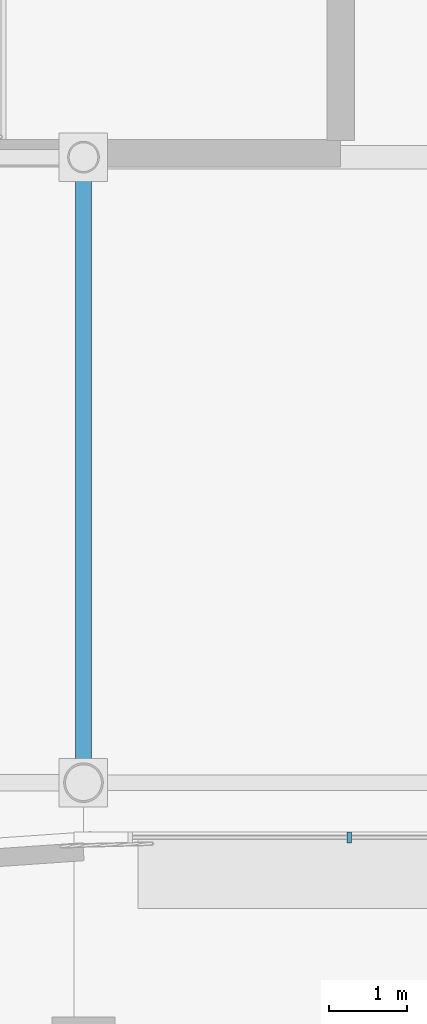
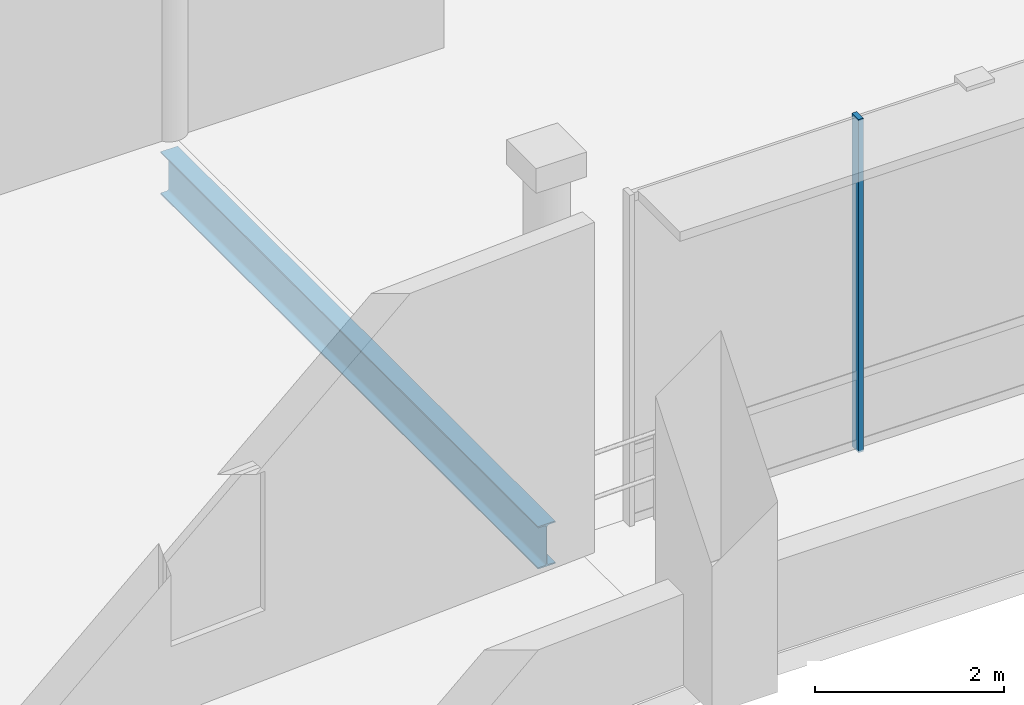
# One storey, part 14 of 59: 1 beam, 1 member, 1 element without a shape of its own.
"""IFC4 building model written with IfcOpenShell, lengths in metres."""

from ifc_helpers import new_model, si_unit, direction, frame, origin, origin_2d, place, context, subcontext, project, spatial, rectangle, i_section, extrude, material, material_profile, profile_set, type_object, element, aggregate, save


model = new_model("IFC4")

# Units and contexts
model_context = context("Model", 3, precision=1e-05, world=origin(), true_north=direction((0.0, 1.0)))
body_context = subcontext(model_context, "Body", "Model", "MODEL_VIEW")
ifc_project = project(units=[si_unit("LENGTHUNIT", "METRE"), si_unit("AREAUNIT", "SQUARE_METRE"), si_unit("VOLUMEUNIT", "CUBIC_METRE"), si_unit("PLANEANGLEUNIT", "RADIAN"), si_unit("MASSUNIT", "GRAM", prefix="KILO")], contexts=[model_context])

# Site, building, storey
site_placement = place(None, origin())
site = spatial("IfcSite", under=ifc_project, at=site_placement, CompositionType="ELEMENT")
building_placement = place(site_placement, origin())
building = spatial("IfcBuilding", under=site, at=building_placement, Name="Danafjord Basin Convention Centre", CompositionType="ELEMENT")
storey_placement = place(building_placement, frame((0.0, 0.0, 15.89990234375)))
storey = spatial("IfcBuildingStorey", under=building, at=storey_placement, Name="L03", CompositionType="ELEMENT", Elevation=15.89990234375)

# Beam
ifc_material_1 = material(Name="Steel S355", Category="steel")
ifc_material_profile_1 = material_profile(ifc_material_1, i_section(OverallWidth=0.2099609375, OverallDepth=0.550048828125, WebThickness=0.010986328125, FlangeThickness=0.01708984375, FilletRadius=0.02392578125, at=origin_2d()), Name="IPE 550")
ifc_profile_set_1 = profile_set([ifc_material_profile_1], Name="Steel S355")
beam_type = type_object("IfcBeamType", Name="BEAM-BM-IPE550", PredefinedType="BEAM", material=ifc_profile_set_1)
beam_placement = place(storey_placement, frame((57.60009765625, 8.0, -0.5048828125), z_axis=(0.0, 1.0, 0.0), x_axis=(-1.0, 0.0, 0.0)))
element("IfcBeam", 1, at=beam_placement, inside=storey, type_object=beam_type, Name="L03 transverse girder BM-IPE550", PredefinedType="BEAM", context=body_context, shape_type="SweptSolid", body=[
    extrude(i_section(OverallWidth=0.2099609375, OverallDepth=0.550048828125, WebThickness=0.010986328125, FlangeThickness=0.01708984375, FilletRadius=0.02392578125, at=origin_2d()), origin(), (0.0, 0.0, 1.0), 8.0),
])

# Curtain wall, member
ifc_material_2 = material(Name="Anodised aluminium and triple glazing", Category="aluminium")
curtain_wall_type = type_object("IfcCurtainWallType", Name="CW-CW-TERR", PredefinedType="NOTDEFINED", material=ifc_material_2)
curtain_wall_placement = place(storey_placement, origin())
curtain_wall = element("IfcCurtainWall", 2, at=curtain_wall_placement, inside=storey, type_object=curtain_wall_type, Name="L03 CW-TERR unitised curtain wall bay 30", PredefinedType="NOTDEFINED")
ifc_material_3 = material(Name="Anodised aluminium EN AW-6060", Category="aluminium")
ifc_material_profile_2 = material_profile(ifc_material_3, rectangle(XDim=0.06005859375, YDim=0.139892578125, at=origin_2d()), Name="MULL 60x140")
ifc_profile_set_2 = profile_set([ifc_material_profile_2], Name="Anodised aluminium EN AW-6060")
member_type = type_object("IfcMemberType", Name="MEM-ML-140", PredefinedType="MULLION", material=ifc_profile_set_2)
member_placement = place(storey_placement, frame((61.0, 7.300048828125, -0.02490234375), z_axis=(0.0, 0.0, 1.0), x_axis=(1.0, 0.0, 0.0)))
member = element("IfcMember", 3, at=member_placement, type_object=member_type, Name="CW-L03-030 mullion 2", PredefinedType="MULLION", context=body_context, shape_type="SweptSolid", body=[
    extrude(rectangle(XDim=0.06005859375, YDim=0.139892578125, at=origin_2d()), origin(), (0.0, 0.0, 1.0), 4.30908203125),
])
aggregate(curtain_wall, [member])

save(model, "model.ifc")
